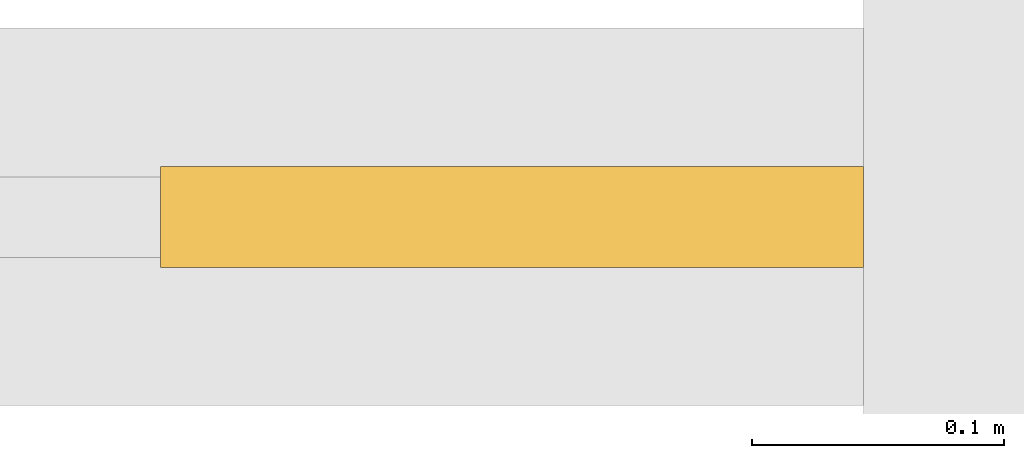
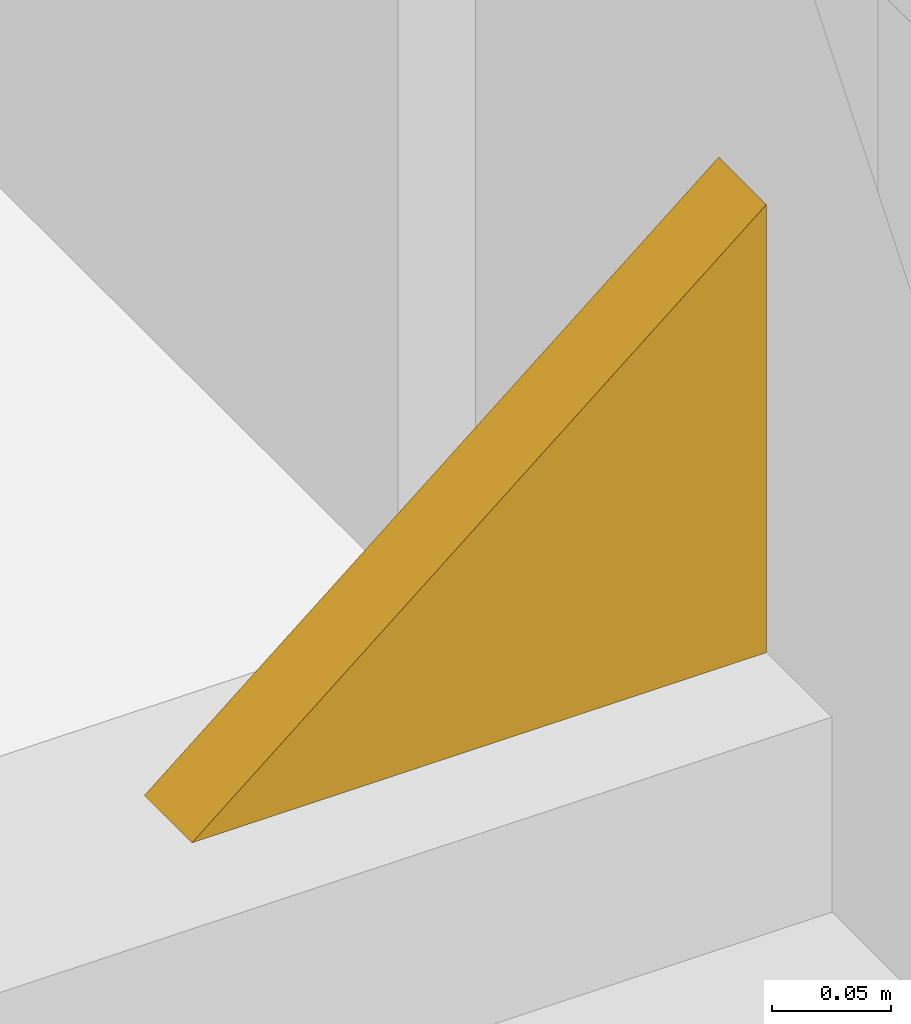
# One storey, part 16 of 18: 1 covering.
"""IFC4 building model written with IfcOpenShell, lengths in metres."""

from ifc_helpers import new_model, si_unit, direction, frame, origin, place, context, subcontext, project, spatial, polyline, outline, extrude, material, layer, layer_set, type_object, element, save


model = new_model("IFC4")

# Units and contexts
model_context = context("Model", 3, precision=1e-05, world=origin(), true_north=direction((0.0, 1.0)))
body_context = subcontext(model_context, "Body", "Model", "MODEL_VIEW")
ifc_project = project(units=[si_unit("LENGTHUNIT", "METRE"), si_unit("AREAUNIT", "SQUARE_METRE"), si_unit("VOLUMEUNIT", "CUBIC_METRE"), si_unit("PLANEANGLEUNIT", "RADIAN"), si_unit("MASSUNIT", "GRAM", prefix="KILO")], contexts=[model_context])

# Site, building, storey
site_placement = place(None, origin())
site = spatial("IfcSite", under=ifc_project, at=site_placement, CompositionType="ELEMENT")
building_placement = place(site_placement, origin())
building = spatial("IfcBuilding", under=site, at=building_placement, Name="Malebo Sky Hospital", CompositionType="ELEMENT")
storey_placement = place(building_placement, frame((0.0, 0.0, 132.0)))
storey = spatial("IfcBuildingStorey", under=building, at=storey_placement, Name="L31", CompositionType="ELEMENT", Elevation=132.0)

# Covering
ifc_material = material(Name="Anodised aluminium, natural silver insulated infill panel", Category="aluminium")
ifc_layer = layer(ifc_material, 0.0400390625)
ifc_layer_set = layer_set([ifc_layer], Name="BRACE INFILL PANEL 40")
covering_type = type_object("IfcCoveringType", Name="BRACE INFILL PANEL 40", PredefinedType="CLADDING", material=ifc_layer_set)
covering_placement = place(storey_placement, frame((76.623046875, 37.864990234375, 0.099853515625), z_axis=(0.0, 0.0, 1.0), x_axis=(-1.0, 0.0, 0.0)))
element("IfcCovering", 1, at=covering_placement, inside=storey, type_object=covering_type, Name="Brace infill panel 2.1", PredefinedType="CLADDING", context=body_context, shape_type="SweptSolid", body=[
    extrude(outline(polyline([(-0.139404296875, 0.0), (0.139404296875, 0.0), (-0.139404296875, 0.22998046875), (-0.139404296875, 0.0)])), frame((0.0, 0.02001953125, 0.0), z_axis=(0.0, -1.0, 0.0), x_axis=(1.0, 0.0, 0.0)), (0.0, 0.0, 1.0), 0.0400390625),
])

save(model, "model.ifc")
